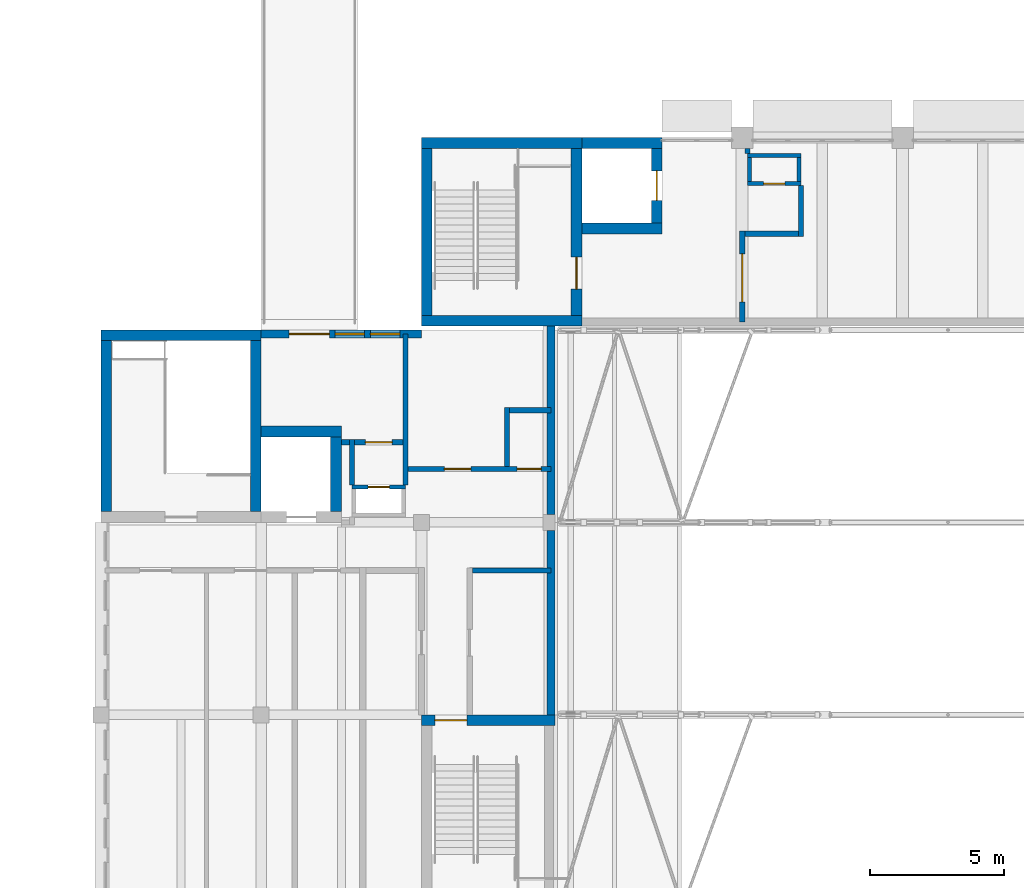
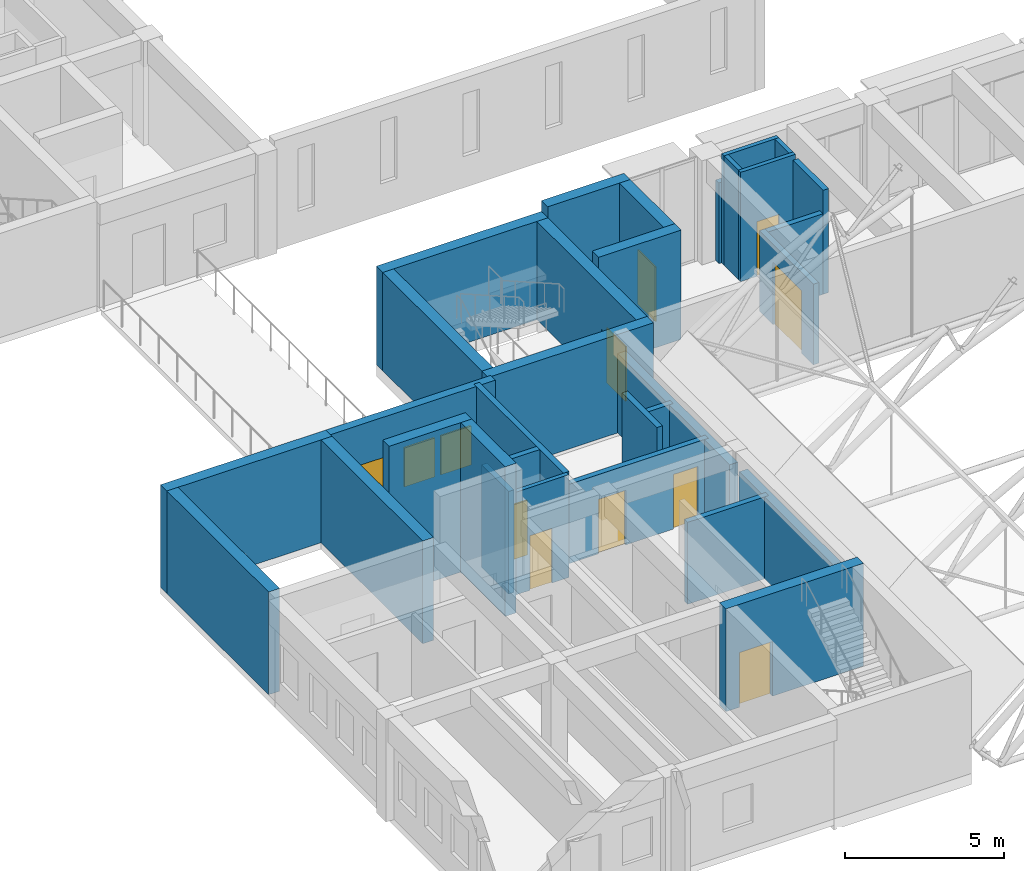
# One storey, part 70 of 101: 32 walls, 10 doors, 2 windows, 12 openings.
"""IFC4 building model written with IfcOpenShell, lengths in metres."""

from ifc_helpers import new_model, si_unit, direction, frame, frame_2d, origin, place, context, subcontext, project, spatial, rectangle, extrude, material, layer, layer_set, type_object, element, fill, save


model = new_model("IFC4")

# Units and contexts
model_context = context("Model", 3, precision=1e-05, world=origin(), true_north=direction((0.0, 1.0)))
body_context = subcontext(model_context, "Body", "Model", "MODEL_VIEW")
ifc_project = project(units=[si_unit("LENGTHUNIT", "METRE"), si_unit("AREAUNIT", "SQUARE_METRE"), si_unit("VOLUMEUNIT", "CUBIC_METRE"), si_unit("PLANEANGLEUNIT", "RADIAN"), si_unit("MASSUNIT", "GRAM", prefix="KILO")], contexts=[model_context])

# Site, building, storey
site_placement = place(None, origin())
site = spatial("IfcSite", under=ifc_project, at=site_placement, CompositionType="ELEMENT")
building_placement = place(site_placement, origin())
building = spatial("IfcBuilding", under=site, at=building_placement, Name="Laocheng Heights Fire and Rescue Headquarters", CompositionType="ELEMENT")
storey_placement = place(building_placement, frame((0.0, 0.0, 8.39990234375)))
storey = spatial("IfcBuildingStorey", under=building, at=storey_placement, Name="L02", CompositionType="ELEMENT", Elevation=8.39990234375)

# Walls
ifc_material_1 = material(Name="Gypsum plaster")
ifc_layer_1 = layer(ifc_material_1, 0.010009765625, Name="PLASTER", Category="plaster")
ifc_material_2 = material(Name="Concrete blockwork MU10", Category="masonry")
ifc_layer_2 = layer(ifc_material_2, 0.179931640625, Name="BLOCKWORK", Category="masonry")
ifc_layer_3 = layer(ifc_material_1, 0.010009765625, Name="PLASTER", Category="plaster")
ifc_layer_set_1 = layer_set([ifc_layer_1, ifc_layer_2, ifc_layer_3], Name="Concrete blockwork MU10")
wall_type_1 = type_object("IfcWallType", Name="BLOCKWORK FIRE PARTITION 200 EI 60 BAY", PredefinedType="PARTITIONING", material=ifc_layer_set_1)
wall_1_placement = place(storey_placement, frame((9.39990234375, 15.800048828125, 0.0), z_axis=(0.0, 0.0, 1.0), x_axis=(0.0, 1.0, 0.0)))
element("IfcWall", 1, at=wall_1_placement, inside=storey, type_object=wall_type_1, Name="Partition L02-004", PredefinedType="PARTITIONING", context=body_context, shape_type="SweptSolid", body=[
    extrude(rectangle(XDim=1.699951171875, YDim=0.199951171875, at=frame_2d((0.85009765625, 0.0))), origin(), (0.0, 0.0, 1.0), 3.9501953125),
])
wall_2_placement = place(storey_placement, frame((11.39990234375, 15.800048828125, 0.0), z_axis=(0.0, 0.0, 1.0), x_axis=(0.0, 1.0, 0.0)))
element("IfcWall", 2, at=wall_2_placement, inside=storey, type_object=wall_type_1, Name="Partition L02-006", PredefinedType="PARTITIONING", context=body_context, shape_type="SweptSolid", body=[
    extrude(rectangle(XDim=5.64990234375, YDim=0.199951171875, at=frame_2d((2.824951171875, 0.0))), origin(), (0.0, 0.0, 1.0), 3.9501953125),
])
wall_3_placement = place(storey_placement, frame((15.199951171875, 16.5, 0.0), z_axis=(0.0, 0.0, 1.0), x_axis=(0.0, 1.0, 0.0)))
element("IfcWall", 3, at=wall_3_placement, inside=storey, type_object=wall_type_1, Name="Partition L02-009", PredefinedType="PARTITIONING", context=body_context, shape_type="SweptSolid", body=[
    extrude(rectangle(XDim=2.199951171875, YDim=0.199951171875, at=frame_2d((1.10009765625, 0.0))), origin(), (0.0, 0.0, 1.0), 3.9501953125),
])
wall_4_placement = place(storey_placement, frame((13.89990234375, 12.60009765625, 0.0), z_axis=(0.0, 0.0, 1.0), x_axis=(1.0, 0.0, 0.0)))
element("IfcWall", 4, at=wall_4_placement, inside=storey, type_object=wall_type_1, Name="Partition L02-018", PredefinedType="PARTITIONING", context=body_context, shape_type="SweptSolid", body=[
    extrude(rectangle(XDim=2.9501953125, YDim=0.199951171875, at=frame_2d((1.47509765625, 0.0))), origin(), (0.0, 0.0, 1.0), 3.150146484375),
])

# Wall, openings, doors
wall_5_placement = place(storey_placement, frame((11.5, 16.39990234375, 0.0), z_axis=(0.0, 0.0, 1.0), x_axis=(1.0, 0.0, 0.0)))
wall_5 = element("IfcWall", 5, at=wall_5_placement, inside=storey, type_object=wall_type_1, Name="Partition L02-025", PredefinedType="PARTITIONING", context=body_context, shape_type="SweptSolid", body=[
    extrude(rectangle(XDim=5.35009765625, YDim=0.199951171875, at=frame_2d((2.675048828125, 0.0))), origin(), (0.0, 0.0, 1.0), 3.050048828125),
])
opening_1_placement = place(wall_5_placement, frame((1.35009765625, 0.0, 0.0)))
opening_1 = element("IfcOpeningElement", 6, at=opening_1_placement, cuts=wall_5, Name="Opening L02-I06", PredefinedType="OPENING", context=body_context, shape_type="SweptSolid", body=[
    extrude(rectangle(XDim=1.0, YDim=2.10009765625, at=frame_2d((0.5, 1.050048828125))), frame((0.0, 0.10986328125, 0.0), z_axis=(0.0, -1.0, 0.0), x_axis=(1.0, 0.0, 0.0)), (0.0, 0.0, 1.0), 0.219970703125),
])
opening_2_placement = place(wall_5_placement, frame((4.074951171875, 0.0, 0.0)))
opening_2 = element("IfcOpeningElement", 7, at=opening_2_placement, cuts=wall_5, Name="Opening L02-I08", PredefinedType="OPENING", context=body_context, shape_type="SweptSolid", body=[
    extrude(rectangle(XDim=0.89990234375, YDim=2.10009765625, at=frame_2d((0.449951171875, 1.050048828125))), frame((0.0, 0.10986328125, 0.0), z_axis=(0.0, -1.0, 0.0), x_axis=(1.0, 0.0, 0.0)), (0.0, 0.0, 1.0), 0.219970703125),
])
ifc_material_3 = material(Name="Steel door leaf, painted", Category="steel")
door_type_1 = type_object("IfcDoorType", Name="STEEL FIRE DOOR 1000x2100 EI 60 BAY", OperationType="SINGLE_SWING_LEFT", PredefinedType="DOOR", material=ifc_material_3)
door_1_placement = place(opening_1_placement, origin())
door_1 = element("IfcDoor", 8, at=door_1_placement, inside=storey, type_object=door_type_1, Name="Door L02-I06", OperationType="SINGLE_SWING_RIGHT", OverallHeight=2.10009765625, OverallWidth=1.0, PredefinedType="DOOR", context=body_context, shape_type="SweptSolid", body=[
    extrude(rectangle(XDim=1.0, YDim=2.10009765625, at=frame_2d((0.5, 1.050048828125))), frame((0.0, 0.02490234375, 0.0), z_axis=(0.0, -1.0, 0.0), x_axis=(1.0, 0.0, 0.0)), (0.0, 0.0, 1.0), 0.050048828125),
])
fill(opening_1, door_1)
ifc_material_4 = material(Name="Steel door leaf, painted", Category="steel")
door_type_2 = type_object("IfcDoorType", Name="STEEL FIRE DOOR 900x2100 EI 60 BAY", OperationType="SINGLE_SWING_LEFT", PredefinedType="DOOR", material=ifc_material_4)
door_2_placement = place(opening_2_placement, origin())
door_2 = element("IfcDoor", 9, at=door_2_placement, inside=storey, type_object=door_type_2, Name="Door L02-I08", OperationType="SINGLE_SWING_RIGHT", OverallHeight=2.10009765625, OverallWidth=0.89990234375, PredefinedType="DOOR", context=body_context, shape_type="SweptSolid", body=[
    extrude(rectangle(XDim=0.89990234375, YDim=2.10009765625, at=frame_2d((0.449951171875, 1.050048828125))), frame((0.0, 0.02490234375, 0.0), z_axis=(0.0, -1.0, 0.0), x_axis=(1.0, 0.0, 0.0)), (0.0, 0.0, 1.0), 0.050048828125),
])
fill(opening_2, door_2)

# Wall, opening, door
wall_6_placement = place(storey_placement, frame((9.0, 17.39990234375, 0.0), z_axis=(0.0, 0.0, 1.0), x_axis=(1.0, 0.0, 0.0)))
wall_6 = element("IfcWall", 10, at=wall_6_placement, inside=storey, type_object=wall_type_1, Name="Partition L02-026", PredefinedType="PARTITIONING", context=body_context, shape_type="SweptSolid", body=[
    extrude(rectangle(XDim=2.300048828125, YDim=0.199951171875, at=frame_2d((1.14990234375, 0.0))), origin(), (0.0, 0.0, 1.0), 3.9501953125),
])
opening_3_placement = place(wall_6_placement, frame((0.89990234375, 0.0, 0.0)))
opening_3 = element("IfcOpeningElement", 11, at=opening_3_placement, cuts=wall_6, Name="Opening L02-I07", PredefinedType="OPENING", context=body_context, shape_type="SweptSolid", body=[
    extrude(rectangle(XDim=1.0, YDim=2.10009765625, at=frame_2d((0.5, 1.050048828125))), frame((0.0, 0.10986328125, 0.0), z_axis=(0.0, -1.0, 0.0), x_axis=(1.0, 0.0, 0.0)), (0.0, 0.0, 1.0), 0.219970703125),
])
door_3_placement = place(opening_3_placement, origin())
door_3 = element("IfcDoor", 12, at=door_3_placement, inside=storey, type_object=door_type_1, Name="Door L02-I07", OperationType="SINGLE_SWING_RIGHT", OverallHeight=2.10009765625, OverallWidth=1.0, PredefinedType="DOOR", context=body_context, shape_type="SweptSolid", body=[
    extrude(rectangle(XDim=1.0, YDim=2.10009765625, at=frame_2d((0.5, 1.050048828125))), frame((0.0, 0.02490234375, 0.0), z_axis=(0.0, -1.0, 0.0), x_axis=(1.0, 0.0, 0.0)), (0.0, 0.0, 1.0), 0.050048828125),
])
fill(opening_3, door_3)

# Wall
wall_7_placement = place(storey_placement, frame((15.300048828125, 18.60009765625, 0.0), z_axis=(0.0, 0.0, 1.0), x_axis=(1.0, 0.0, 0.0)))
element("IfcWall", 13, at=wall_7_placement, inside=storey, type_object=wall_type_1, Name="Partition L02-027", PredefinedType="PARTITIONING", context=body_context, shape_type="SweptSolid", body=[
    extrude(rectangle(XDim=1.550048828125, YDim=0.199951171875, at=frame_2d((0.77490234375, 0.0))), origin(), (0.0, 0.0, 1.0), 3.050048828125),
])

# Wall, opening, door
ifc_material_5 = material(Name="Gypsum plaster")
ifc_layer_4 = layer(ifc_material_5, 0.010009765625, Name="PLASTER", Category="plaster")
ifc_material_6 = material(Name="Concrete blockwork MU10", Category="masonry")
ifc_layer_5 = layer(ifc_material_6, 0.179931640625, Name="BLOCKWORK", Category="masonry")
ifc_layer_6 = layer(ifc_material_5, 0.010009765625, Name="PLASTER", Category="plaster")
ifc_layer_set_2 = layer_set([ifc_layer_4, ifc_layer_5, ifc_layer_6], Name="Concrete blockwork MU10")
wall_type_2 = type_object("IfcWallType", Name="BLOCKWORK FIRE PARTITION 200 EI 60 GALLERY", PredefinedType="PARTITIONING", material=ifc_layer_set_2)
wall_8_placement = place(storey_placement, frame((24.0, 21.89990234375, 0.0), z_axis=(0.0, 0.0, 1.0), x_axis=(0.0, 1.0, 0.0)))
wall_8 = element("IfcWall", 14, at=wall_8_placement, inside=storey, type_object=wall_type_2, Name="Partition L02-001", PredefinedType="PARTITIONING", context=body_context, shape_type="SweptSolid", body=[
    extrude(rectangle(XDim=3.400146484375, YDim=0.199951171875, at=frame_2d((1.7001953125, 0.0))), origin(), (0.0, 0.0, 1.0), 3.10009765625),
])
opening_4_placement = place(wall_8_placement, frame((0.75, 0.0, 0.0)))
opening_4 = element("IfcOpeningElement", 15, at=opening_4_placement, cuts=wall_8, Name="Opening L02-M01", PredefinedType="OPENING", context=body_context, shape_type="SweptSolid", body=[
    extrude(rectangle(XDim=1.800048828125, YDim=2.39990234375, at=frame_2d((0.89990234375, 1.199951171875))), frame((0.0, 0.10986328125, 0.0), z_axis=(0.0, -1.0, 0.0), x_axis=(1.0, 0.0, 0.0)), (0.0, 0.0, 1.0), 0.219970703125),
])
ifc_material_7 = material(Name="Steel frame, fire-resistant glazing", Category="steel")
door_type_3 = type_object("IfcDoorType", Name="FIRE-RATED GLAZED DOOR 1800x2400 EI 60 GALLERY", OperationType="DOUBLE_DOOR_SINGLE_SWING", PredefinedType="DOOR", material=ifc_material_7)
door_4_placement = place(opening_4_placement, origin())
door_4 = element("IfcDoor", 16, at=door_4_placement, inside=storey, type_object=door_type_3, Name="Door L02-M01", OperationType="DOUBLE_DOOR_SINGLE_SWING", OverallHeight=2.39990234375, OverallWidth=1.800048828125, PredefinedType="DOOR", context=body_context, shape_type="SweptSolid", body=[
    extrude(rectangle(XDim=1.800048828125, YDim=2.39990234375, at=frame_2d((0.89990234375, 1.199951171875))), frame((0.0, 0.02490234375, 0.0), z_axis=(0.0, -1.0, 0.0), x_axis=(1.0, 0.0, 0.0)), (0.0, 0.0, 1.0), 0.050048828125),
])
fill(opening_4, door_4)

# Walls
wall_9_placement = place(storey_placement, frame((24.199951171875, 28.199951171875, 0.0), z_axis=(0.0, 0.0, 1.0), x_axis=(0.0, 1.0, 0.0)))
element("IfcWall", 17, at=wall_9_placement, inside=storey, type_object=wall_type_2, Name="Partition L02-002", PredefinedType="PARTITIONING", context=body_context, shape_type="SweptSolid", body=[
    extrude(rectangle(XDim=0.199951171875, YDim=0.199951171875, at=frame_2d((0.10009765625, 0.0))), origin(), (0.0, 0.0, 1.0), 3.10009765625),
])
wall_10_placement = place(storey_placement, frame((26.199951171875, 25.10009765625, 0.0), z_axis=(0.0, 0.0, 1.0), x_axis=(0.0, 1.0, 0.0)))
element("IfcWall", 18, at=wall_10_placement, inside=storey, type_object=wall_type_2, Name="Partition L02-003", PredefinedType="PARTITIONING", context=body_context, shape_type="SweptSolid", body=[
    extrude(rectangle(XDim=1.89990234375, YDim=0.199951171875, at=frame_2d((0.949951171875, 0.0))), origin(), (0.0, 0.0, 1.0), 4.0),
])
wall_11_placement = place(storey_placement, frame((24.10009765625, 25.199951171875, 0.0), z_axis=(0.0, 0.0, 1.0), x_axis=(1.0, 0.0, 0.0)))
element("IfcWall", 19, at=wall_11_placement, inside=storey, type_object=wall_type_2, Name="Partition L02-006", PredefinedType="PARTITIONING", context=body_context, shape_type="SweptSolid", body=[
    extrude(rectangle(XDim=2.0, YDim=0.199951171875, at=frame_2d((1.0, 0.0))), origin(), (0.0, 0.0, 1.0), 3.10009765625),
])
ifc_material_8 = material(Name="Precast concrete C40/50", Category="concrete")
ifc_layer_7 = layer(ifc_material_8, 0.300048828125)
ifc_layer_set_3 = layer_set([ifc_layer_7], Name="Precast concrete C40/50")
wall_type_3 = type_object("IfcWallType", Name="PRECAST SANDWICH WALL 300 WEST FLANK", PredefinedType="SOLIDWALL", material=ifc_layer_set_3)
wall_12_placement = place(storey_placement, frame((16.85009765625, 7.199951171875, 0.0), z_axis=(0.0, 0.0, 1.0), x_axis=(0.0, 1.0, 0.0)))
element("IfcWall", 20, at=wall_12_placement, inside=storey, type_object=wall_type_3, Name="Flank W wall L02", PredefinedType="SOLIDWALL", context=body_context, shape_type="SweptSolid", body=[
    extrude(rectangle(XDim=6.900146484375, YDim=0.300048828125, at=frame_2d((3.4501953125, 0.0))), origin(), (0.0, 0.0, 1.0), 3.150146484375),
])
wall_13_placement = place(storey_placement, frame((16.85009765625, 14.699951171875, 0.0), z_axis=(0.0, 0.0, 1.0), x_axis=(0.0, 1.0, 0.0)))
element("IfcWall", 21, at=wall_13_placement, inside=storey, type_object=wall_type_3, Name="Flank W wall L02", PredefinedType="SOLIDWALL", context=body_context, shape_type="SweptSolid", body=[
    extrude(rectangle(XDim=7.050048828125, YDim=0.300048828125, at=frame_2d((3.52490234375, 0.0))), origin(), (0.0, 0.0, 1.0), 3.050048828125),
])

# Wall, openings, door, windows
wall_14_placement = place(storey_placement, frame((6.0, 21.449951171875, 0.0), z_axis=(0.0, 0.0, 1.0), x_axis=(1.0, 0.0, 0.0)))
wall_14 = element("IfcWall", 22, at=wall_14_placement, inside=storey, type_object=wall_type_3, Name="Flank W wall L02", PredefinedType="SOLIDWALL", context=body_context, shape_type="SweptSolid", body=[
    extrude(rectangle(XDim=6.0, YDim=0.300048828125, at=frame_2d((3.0, 0.0))), origin(), (0.0, 0.0, 1.0), 3.9501953125),
])
opening_5_placement = place(wall_14_placement, frame((1.050048828125, 0.0, 0.0)))
opening_5 = element("IfcOpeningElement", 23, at=opening_5_placement, cuts=wall_14, Name="Opening L02-E01", PredefinedType="OPENING", context=body_context, shape_type="SweptSolid", body=[
    extrude(rectangle(XDim=1.5, YDim=2.39990234375, at=frame_2d((0.75, 1.199951171875))), frame((0.0, 0.159912109375, 0.0), z_axis=(0.0, -1.0, 0.0), x_axis=(1.0, 0.0, 0.0)), (0.0, 0.0, 1.0), 0.320068359375),
])
opening_6_placement = place(wall_14_placement, frame((2.762451171875, 0.0, 0.89990234375)))
opening_6 = element("IfcOpeningElement", 24, at=opening_6_placement, cuts=wall_14, Name="Opening N1-E", PredefinedType="OPENING", context=body_context, shape_type="SweptSolid", body=[
    extrude(rectangle(XDim=1.10009765625, YDim=1.5, at=frame_2d((0.550048828125, 0.75))), frame((0.0, 0.159912109375, 0.0), z_axis=(0.0, -1.0, 0.0), x_axis=(1.0, 0.0, 0.0)), (0.0, 0.0, 1.0), 0.320068359375),
])
opening_7_placement = place(wall_14_placement, frame((4.08740234375, 0.0, 0.89990234375)))
opening_7 = element("IfcOpeningElement", 25, at=opening_7_placement, cuts=wall_14, Name="Opening N1-E", PredefinedType="OPENING", context=body_context, shape_type="SweptSolid", body=[
    extrude(rectangle(XDim=1.10009765625, YDim=1.5, at=frame_2d((0.550048828125, 0.75))), frame((0.0, 0.159912109375, 0.0), z_axis=(0.0, -1.0, 0.0), x_axis=(1.0, 0.0, 0.0)), (0.0, 0.0, 1.0), 0.320068359375),
])
ifc_material_9 = material(Name="Aluminium framed glazed door, low-e double glazing", Category="aluminium")
door_type_4 = type_object("IfcDoorType", Name="BRIDGE DOOR DOUBLE GLAZED 1500 x 2400 EI 60", OperationType="DOUBLE_DOOR_SINGLE_SWING", PredefinedType="DOOR", material=ifc_material_9)
door_5_placement = place(opening_5_placement, origin())
door_5 = element("IfcDoor", 26, at=door_5_placement, inside=storey, type_object=door_type_4, Name="Bridge door L02-E01", OperationType="DOUBLE_DOOR_SINGLE_SWING", OverallHeight=2.39990234375, OverallWidth=1.5, PredefinedType="DOOR", context=body_context, shape_type="SweptSolid", body=[
    extrude(rectangle(XDim=1.5, YDim=2.39990234375, at=frame_2d((0.75, 1.199951171875))), frame((0.0, 0.02490234375, 0.0), z_axis=(0.0, -1.0, 0.0), x_axis=(1.0, 0.0, 0.0)), (0.0, 0.0, 1.0), 0.050048828125),
])
fill(opening_5, door_5)
ifc_material_10 = material(Name="Low-e double glazing in thermally broken aluminium frame", Category="aluminium")
window_type = type_object("IfcWindowType", Name="CASEMENT WINDOW 1100 x 1500 SILL 900", PartitioningType="SINGLE_PANEL", PredefinedType="WINDOW", material=ifc_material_10)
window_1_placement = place(opening_6_placement, origin())
window_1 = element("IfcWindow", 27, at=window_1_placement, inside=storey, type_object=window_type, Name="Flank_W window L02", OverallHeight=1.5, OverallWidth=1.10009765625, PartitioningType="SINGLE_PANEL", PredefinedType="WINDOW", context=body_context, shape_type="SweptSolid", body=[
    extrude(rectangle(XDim=1.10009765625, YDim=1.5, at=frame_2d((0.550048828125, 0.75))), frame((0.0, 0.030029296875, 0.0), z_axis=(0.0, -1.0, 0.0), x_axis=(1.0, 0.0, 0.0)), (0.0, 0.0, 1.0), 0.06005859375),
])
fill(opening_6, window_1)
window_2_placement = place(opening_7_placement, origin())
window_2 = element("IfcWindow", 28, at=window_2_placement, inside=storey, type_object=window_type, Name="Flank_W window L02", OverallHeight=1.5, OverallWidth=1.10009765625, PartitioningType="SINGLE_PANEL", PredefinedType="WINDOW", context=body_context, shape_type="SweptSolid", body=[
    extrude(rectangle(XDim=1.10009765625, YDim=1.5, at=frame_2d((0.550048828125, 0.75))), frame((0.0, 0.030029296875, 0.0), z_axis=(0.0, -1.0, 0.0), x_axis=(1.0, 0.0, 0.0)), (0.0, 0.0, 1.0), 0.06005859375),
])
fill(opening_7, window_2)

# Walls
ifc_material_11 = material(Name="Concrete C50", Category="concrete")
ifc_layer_8 = layer(ifc_material_11, 0.39990234375)
ifc_layer_set_4 = layer_set([ifc_layer_8], Name="Concrete C50")
wall_type_4 = type_object("IfcWallType", Name="RC LIFT SHAFT WALL 400", PredefinedType="SHEAR", material=ifc_layer_set_4)
wall_15_placement = place(storey_placement, frame((6.0, 17.800048828125, 0.0), z_axis=(0.0, 0.0, 1.0), x_axis=(1.0, 0.0, 0.0)))
element("IfcWall", 29, at=wall_15_placement, inside=storey, type_object=wall_type_4, Name="Lift shaft wall", PredefinedType="SHEAR", context=body_context, shape_type="SweptSolid", body=[
    extrude(rectangle(XDim=3.0, YDim=0.39990234375, at=frame_2d((1.5, 0.0))), origin(), (0.0, 0.0, 1.0), 5.75),
])
wall_16_placement = place(storey_placement, frame((8.800048828125, 14.800048828125, 0.0), z_axis=(0.0, 0.0, 1.0), x_axis=(0.0, 1.0, 0.0)))
element("IfcWall", 30, at=wall_16_placement, inside=storey, type_object=wall_type_4, Name="Lift shaft wall", PredefinedType="SHEAR", context=body_context, shape_type="SweptSolid", body=[
    extrude(rectangle(XDim=2.800048828125, YDim=0.39990234375, at=frame_2d((1.39990234375, 0.0))), origin(), (0.0, 0.0, 1.0), 5.75),
])
for number, where, z_axis, x_axis, name in (
    (31, (18.0, 25.39990234375, 0.0), (0.0, 0.0, 1.0), (1.0, 0.0, 0.0), "Lift shaft wall"),
    (32, (18.0, 28.60009765625, 0.0), (0.0, 0.0, 1.0), (1.0, 0.0, 0.0), "Lift shaft wall"),
):
    element("IfcWall", number, at=place(storey_placement, frame(where, z_axis=z_axis, x_axis=x_axis)), inside=storey, type_object=wall_type_4, Name=name, PredefinedType="SHEAR", context=body_context, shape_type="SweptSolid", body=[
        extrude(rectangle(XDim=3.0, YDim=0.39990234375, at=frame_2d((1.5, 0.0))), origin(), (0.0, 0.0, 1.0), 4.2001953125),
    ])

# Wall, opening, door
wall_17_placement = place(storey_placement, frame((20.800048828125, 25.60009765625, 0.0), z_axis=(0.0, 0.0, 1.0), x_axis=(0.0, 1.0, 0.0)))
wall_17 = element("IfcWall", 33, at=wall_17_placement, inside=storey, type_object=wall_type_4, Name="Lift shaft wall", PredefinedType="SHEAR", context=body_context, shape_type="SweptSolid", body=[
    extrude(rectangle(XDim=2.7998046875, YDim=0.39990234375, at=frame_2d((1.39990234375, 0.0))), origin(), (0.0, 0.0, 1.0), 4.2001953125),
])
opening_8_placement = place(wall_17_placement, frame((0.85009765625, 0.0, 0.0)))
opening_8 = element("IfcOpeningElement", 34, at=opening_8_placement, cuts=wall_17, Name="Opening L02-K10", PredefinedType="OPENING", context=body_context, shape_type="SweptSolid", body=[
    extrude(rectangle(XDim=1.10009765625, YDim=2.10009765625, at=frame_2d((0.550048828125, 1.050048828125))), frame((0.0, 0.2099609375, 0.0), z_axis=(0.0, -1.0, 0.0), x_axis=(1.0, 0.0, 0.0)), (0.0, 0.0, 1.0), 0.419921875),
])
ifc_material_12 = material(Name="Stainless steel", Category="steel")
door_type_5 = type_object("IfcDoorType", Name="LANDING DOOR G-L1 SLIDING 1100x2100 E 120", OperationType="DOUBLE_DOOR_SLIDING", PredefinedType="DOOR", material=ifc_material_12)
door_6_placement = place(opening_8_placement, origin())
door_6 = element("IfcDoor", 35, at=door_6_placement, inside=storey, type_object=door_type_5, Name="Landing door G-L1", OperationType="DOUBLE_DOOR_SLIDING", OverallHeight=2.10009765625, OverallWidth=1.10009765625, PredefinedType="DOOR", context=body_context, shape_type="SweptSolid", body=[
    extrude(rectangle(XDim=1.10009765625, YDim=2.10009765625, at=frame_2d((0.550048828125, 1.050048828125))), frame((0.0, 0.02490234375, 0.0), z_axis=(0.0, -1.0, 0.0), x_axis=(1.0, 0.0, 0.0)), (0.0, 0.0, 1.0), 0.050048828125),
])
fill(opening_8, door_6)

# Walls
ifc_material_13 = material(Name="Concrete C50", Category="concrete")
ifc_layer_9 = layer(ifc_material_13, 0.39990234375)
ifc_layer_set_5 = layer_set([ifc_layer_9], Name="Concrete C50")
wall_type_5 = type_object("IfcWallType", Name="RC STAIR ENCLOSURE WALL 400", PredefinedType="SHEAR", material=ifc_layer_set_5)
wall_18_placement = place(storey_placement, frame((0.0, 21.39990234375, 0.0), z_axis=(0.0, 0.0, 1.0), x_axis=(1.0, 0.0, 0.0)))
element("IfcWall", 36, at=wall_18_placement, inside=storey, type_object=wall_type_5, Name="Stair enclosure wall", PredefinedType="SHEAR", context=body_context, shape_type="SweptSolid", body=[
    extrude(rectangle(XDim=6.0, YDim=0.39990234375, at=frame_2d((3.0, 0.0))), origin(), (0.0, 0.0, 1.0), 3.9501953125),
])
for number, where, z_axis, x_axis, name in (
    (37, (0.199951171875, 14.800048828125, 0.0), (0.0, 0.0, 1.0), (0.0, 1.0, 0.0), "Stair enclosure wall"),
    (38, (5.800048828125, 14.800048828125, 0.0), (0.0, 0.0, 1.0), (0.0, 1.0, 0.0), "Stair enclosure wall"),
):
    element("IfcWall", number, at=place(storey_placement, frame(where, z_axis=z_axis, x_axis=x_axis)), inside=storey, type_object=wall_type_5, Name=name, PredefinedType="SHEAR", context=body_context, shape_type="SweptSolid", body=[
        extrude(rectangle(XDim=6.39990234375, YDim=0.39990234375, at=frame_2d((3.199951171875, 0.0))), origin(), (0.0, 0.0, 1.0), 3.9501953125),
    ])

# Wall, opening, door
wall_19_placement = place(storey_placement, frame((12.0, 7.0, 0.0), z_axis=(0.0, 0.0, 1.0), x_axis=(1.0, 0.0, 0.0)))
wall_19 = element("IfcWall", 39, at=wall_19_placement, inside=storey, type_object=wall_type_5, Name="Stair enclosure wall", PredefinedType="SHEAR", context=body_context, shape_type="SweptSolid", body=[
    extrude(rectangle(XDim=5.0, YDim=0.39990234375, at=frame_2d((2.5, 0.0))), origin(), (0.0, 0.0, 1.0), 3.9501953125),
])
opening_9_placement = place(wall_19_placement, frame((0.5, 0.0, 0.0)))
opening_9 = element("IfcOpeningElement", 40, at=opening_9_placement, cuts=wall_19, Name="Opening L02-K04", PredefinedType="OPENING", context=body_context, shape_type="SweptSolid", body=[
    extrude(rectangle(XDim=1.199951171875, YDim=2.10009765625, at=frame_2d((0.60009765625, 1.050048828125))), frame((0.0, 0.2099609375, 0.0), z_axis=(0.0, -1.0, 0.0), x_axis=(1.0, 0.0, 0.0)), (0.0, 0.0, 1.0), 0.419921875),
])
ifc_material_14 = material(Name="Painted steel", Category="steel")
door_type_6 = type_object("IfcDoorType", Name="FIRE DOOR 1200x2100 EI 60", OperationType="SINGLE_SWING_LEFT", PredefinedType="DOOR", material=ifc_material_14)
door_7_placement = place(opening_9_placement, frame((1.199951171875, 0.0, 0.0), z_axis=(0.0, 0.0, 1.0), x_axis=(-1.0, 0.0, 0.0)))
door_7 = element("IfcDoor", 41, at=door_7_placement, inside=storey, type_object=door_type_6, Name="Stair W2 door", OperationType="SINGLE_SWING_RIGHT", OverallHeight=2.10009765625, OverallWidth=1.199951171875, PredefinedType="DOOR", context=body_context, shape_type="SweptSolid", body=[
    extrude(rectangle(XDim=1.199951171875, YDim=2.10009765625, at=frame_2d((0.60009765625, 1.050048828125))), frame((0.0, 0.02490234375, 0.0), z_axis=(0.0, -1.0, 0.0), x_axis=(1.0, 0.0, 0.0)), (0.0, 0.0, 1.0), 0.050048828125),
])
fill(opening_9, door_7)

# Walls
for number, where, z_axis, x_axis, name in (
    (42, (12.0, 21.949951171875, 0.0), (0.0, 0.0, 1.0), (1.0, 0.0, 0.0), "Stair enclosure wall"),
    (43, (12.0, 28.60009765625, 0.0), (0.0, 0.0, 1.0), (1.0, 0.0, 0.0), "Stair enclosure wall"),
):
    element("IfcWall", number, at=place(storey_placement, frame(where, z_axis=z_axis, x_axis=x_axis)), inside=storey, type_object=wall_type_5, Name=name, PredefinedType="SHEAR", context=body_context, shape_type="SweptSolid", body=[
        extrude(rectangle(XDim=6.0, YDim=0.39990234375, at=frame_2d((3.0, 0.0))), origin(), (0.0, 0.0, 1.0), 3.780029296875),
    ])
wall_20_placement = place(storey_placement, frame((12.199951171875, 22.14990234375, 0.0), z_axis=(0.0, 0.0, 1.0), x_axis=(0.0, 1.0, 0.0)))
element("IfcWall", 44, at=wall_20_placement, inside=storey, type_object=wall_type_5, Name="Stair enclosure wall", PredefinedType="SHEAR", context=body_context, shape_type="SweptSolid", body=[
    extrude(rectangle(XDim=6.25, YDim=0.39990234375, at=frame_2d((3.125, 0.0))), origin(), (0.0, 0.0, 1.0), 3.780029296875),
])

# Wall, opening, door
wall_21_placement = place(storey_placement, frame((17.800048828125, 22.14990234375, 0.0), z_axis=(0.0, 0.0, 1.0), x_axis=(0.0, 1.0, 0.0)))
wall_21 = element("IfcWall", 45, at=wall_21_placement, inside=storey, type_object=wall_type_5, Name="Stair enclosure wall", PredefinedType="SHEAR", context=body_context, shape_type="SweptSolid", body=[
    extrude(rectangle(XDim=6.25, YDim=0.39990234375, at=frame_2d((3.125, 0.0))), origin(), (0.0, 0.0, 1.0), 3.780029296875),
])
opening_10_placement = place(wall_21_placement, frame((0.97509765625, 0.0, 0.0)))
opening_10 = element("IfcOpeningElement", 46, at=opening_10_placement, cuts=wall_21, Name="Opening L02-K09", PredefinedType="OPENING", context=body_context, shape_type="SweptSolid", body=[
    extrude(rectangle(XDim=1.199951171875, YDim=2.10009765625, at=frame_2d((0.60009765625, 1.050048828125))), frame((0.0, 0.2099609375, 0.0), z_axis=(0.0, -1.0, 0.0), x_axis=(1.0, 0.0, 0.0)), (0.0, 0.0, 1.0), 0.419921875),
])
door_8_placement = place(opening_10_placement, origin())
door_8 = element("IfcDoor", 47, at=door_8_placement, inside=storey, type_object=door_type_6, Name="Stair G1 door", OperationType="SINGLE_SWING_LEFT", OverallHeight=2.10009765625, OverallWidth=1.199951171875, PredefinedType="DOOR", context=body_context, shape_type="SweptSolid", body=[
    extrude(rectangle(XDim=1.199951171875, YDim=2.10009765625, at=frame_2d((0.60009765625, 1.050048828125))), frame((0.0, 0.02490234375, 0.0), z_axis=(0.0, -1.0, 0.0), x_axis=(1.0, 0.0, 0.0)), (0.0, 0.0, 1.0), 0.050048828125),
])
fill(opening_10, door_8)

ifc_material_15 = material(Name="Concrete C30", Category="concrete")
ifc_layer_10 = layer(ifc_material_15, 0.14990234375)
ifc_layer_set_6 = layer_set([ifc_layer_10], Name="Concrete C30")
wall_type_6 = type_object("IfcWallType", Name="RISER SHAFT WALL 150", PredefinedType="SOLIDWALL", material=ifc_layer_set_6)
wall_22_placement = place(storey_placement, frame((9.39990234375, 15.72509765625, 0.0), z_axis=(0.0, 0.0, 1.0), x_axis=(1.0, 0.0, 0.0)))
wall_22 = element("IfcWall", 48, at=wall_22_placement, inside=storey, type_object=wall_type_6, Name="Riser shaft wall", PredefinedType="SOLIDWALL", context=body_context, shape_type="SweptSolid", body=[
    extrude(rectangle(XDim=2.0, YDim=0.14990234375, at=frame_2d((1.0, 0.0))), origin(), (0.0, 0.0, 1.0), 3.9501953125),
])
opening_11_placement = place(wall_22_placement, frame((0.60009765625, 0.0, 0.0)))
opening_11 = element("IfcOpeningElement", 49, at=opening_11_placement, cuts=wall_22, Name="Opening L02-K03", PredefinedType="OPENING", context=body_context, shape_type="SweptSolid", body=[
    extrude(rectangle(XDim=0.800048828125, YDim=2.10009765625, at=frame_2d((0.39990234375, 1.050048828125))), frame((0.0, 0.0849609375, 0.0), z_axis=(0.0, -1.0, 0.0), x_axis=(1.0, 0.0, 0.0)), (0.0, 0.0, 1.0), 0.169921875),
])
ifc_material_16 = material(Name="Painted steel", Category="steel")
door_type_7 = type_object("IfcDoorType", Name="RISER ACCESS DOOR 800x2100 EI 30", OperationType="SINGLE_SWING_LEFT", PredefinedType="DOOR", material=ifc_material_16)
door_9_placement = place(opening_11_placement, origin())
door_9 = element("IfcDoor", 50, at=door_9_placement, inside=storey, type_object=door_type_7, Name="Riser RW1 access door", OperationType="SINGLE_SWING_LEFT", OverallHeight=2.10009765625, OverallWidth=0.800048828125, PredefinedType="DOOR", context=body_context, shape_type="SweptSolid", body=[
    extrude(rectangle(XDim=0.800048828125, YDim=2.10009765625, at=frame_2d((0.39990234375, 1.050048828125))), frame((0.0, 0.02490234375, 0.0), z_axis=(0.0, -1.0, 0.0), x_axis=(1.0, 0.0, 0.0)), (0.0, 0.0, 1.0), 0.050048828125),
])
fill(opening_11, door_9)

wall_23_placement = place(storey_placement, frame((24.199951171875, 27.074951171875, 0.0), z_axis=(0.0, 0.0, 1.0), x_axis=(1.0, 0.0, 0.0)))
wall_23 = element("IfcWall", 51, at=wall_23_placement, inside=storey, type_object=wall_type_6, Name="Riser shaft wall", PredefinedType="SOLIDWALL", context=body_context, shape_type="SweptSolid", body=[
    extrude(rectangle(XDim=2.0, YDim=0.14990234375, at=frame_2d((1.0, 0.0))), origin(), (0.0, 0.0, 1.0), 4.2001953125),
])
opening_12_placement = place(wall_23_placement, frame((0.60009765625, 0.0, 0.0)))
opening_12 = element("IfcOpeningElement", 52, at=opening_12_placement, cuts=wall_23, Name="Opening L02-K11", PredefinedType="OPENING", context=body_context, shape_type="SweptSolid", body=[
    extrude(rectangle(XDim=0.800048828125, YDim=2.10009765625, at=frame_2d((0.39990234375, 1.050048828125))), frame((0.0, 0.0849609375, 0.0), z_axis=(0.0, -1.0, 0.0), x_axis=(1.0, 0.0, 0.0)), (0.0, 0.0, 1.0), 0.169921875),
])
door_10_placement = place(opening_12_placement, frame((0.800048828125, 0.0, 0.0), z_axis=(0.0, 0.0, 1.0), x_axis=(-1.0, 0.0, 0.0)))
door_10 = element("IfcDoor", 53, at=door_10_placement, inside=storey, type_object=door_type_7, Name="Riser RG1 access door", OperationType="SINGLE_SWING_LEFT", OverallHeight=2.10009765625, OverallWidth=0.800048828125, PredefinedType="DOOR", context=body_context, shape_type="SweptSolid", body=[
    extrude(rectangle(XDim=0.800048828125, YDim=2.10009765625, at=frame_2d((0.39990234375, 1.050048828125))), frame((0.0, 0.02490234375, 0.0), z_axis=(0.0, -1.0, 0.0), x_axis=(1.0, 0.0, 0.0)), (0.0, 0.0, 1.0), 0.050048828125),
])
fill(opening_12, door_10)

# Walls
wall_24_placement = place(storey_placement, frame((24.199951171875, 28.125, 0.0), z_axis=(0.0, 0.0, 1.0), x_axis=(1.0, 0.0, 0.0)))
element("IfcWall", 54, at=wall_24_placement, inside=storey, type_object=wall_type_6, Name="Riser shaft wall", PredefinedType="SOLIDWALL", context=body_context, shape_type="SweptSolid", body=[
    extrude(rectangle(XDim=2.0, YDim=0.14990234375, at=frame_2d((1.0, 0.0))), origin(), (0.0, 0.0, 1.0), 4.2001953125),
])
for number, where, z_axis, x_axis, name in (
    (55, (24.27490234375, 27.14990234375, 0.0), (0.0, 0.0, 1.0), (0.0, 1.0, 0.0), "Riser shaft wall"),
    (56, (26.125, 27.14990234375, 0.0), (0.0, 0.0, 1.0), (0.0, 1.0, 0.0), "Riser shaft wall"),
):
    element("IfcWall", number, at=place(storey_placement, frame(where, z_axis=z_axis, x_axis=x_axis)), inside=storey, type_object=wall_type_6, Name=name, PredefinedType="SOLIDWALL", context=body_context, shape_type="SweptSolid", body=[
        extrude(rectangle(XDim=0.900146484375, YDim=0.14990234375, at=frame_2d((0.4501953125, 0.0))), origin(), (0.0, 0.0, 1.0), 4.2001953125),
    ])

save(model, "model.ifc")
